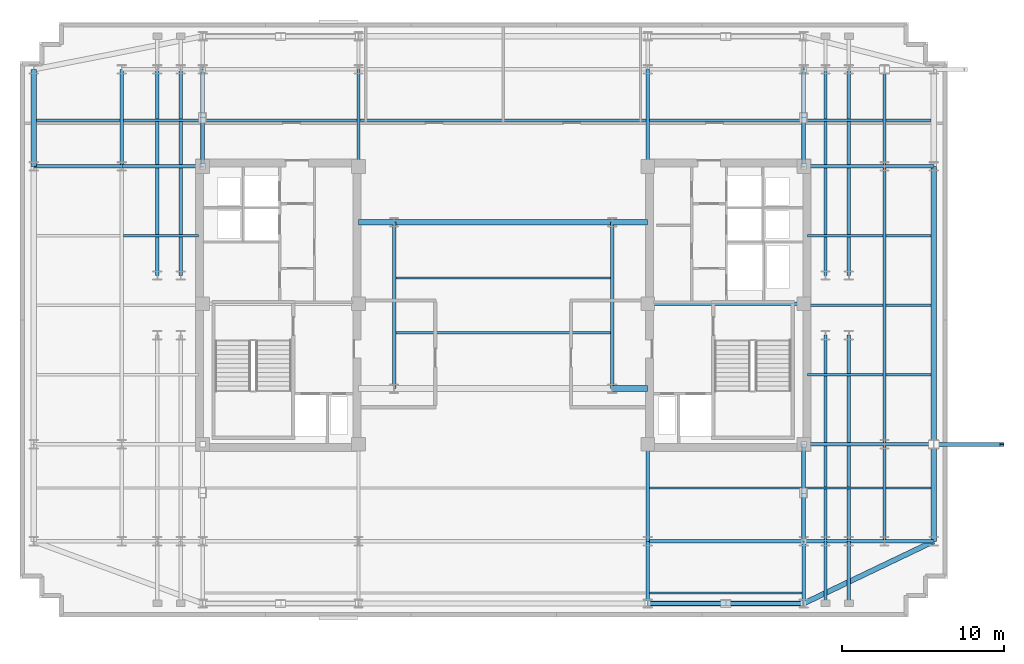
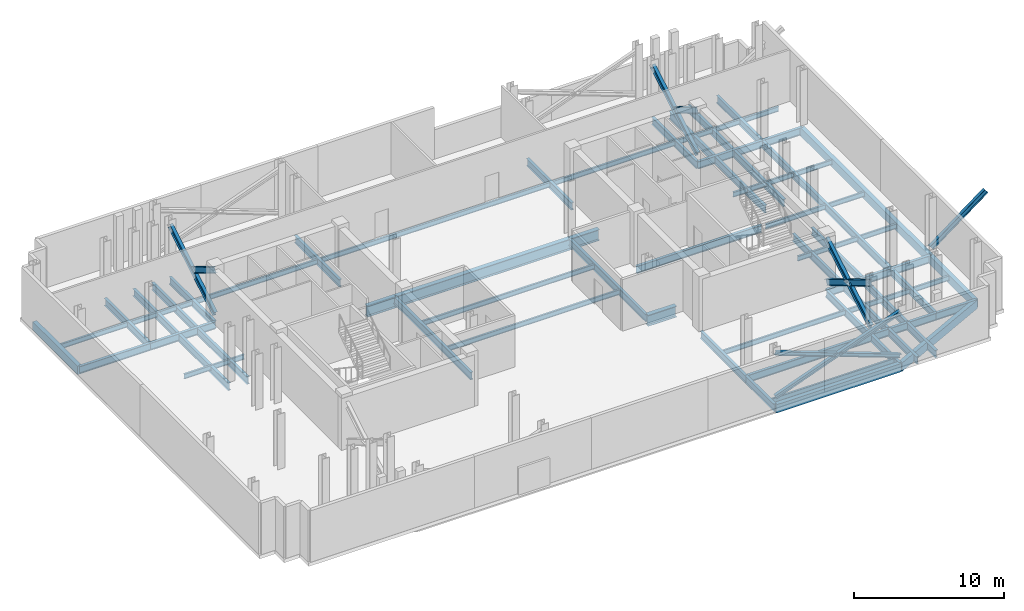
# One storey, part 2 of 8: 61 beams, 11 members.
"""IFC4 building model written with IfcOpenShell, lengths in metres."""

from ifc_helpers import new_model, si_unit, direction, frame, origin, origin_2d, place, context, subcontext, project, spatial, rectangle, i_section, extrude, material, material_profile, profile_set, type_object, element, save


model = new_model("IFC4")

# Units and contexts
model_context = context("Model", 3, precision=1e-05, world=origin(), true_north=direction((0.0, 1.0)))
body_context = subcontext(model_context, "Body", "Model", "MODEL_VIEW")
ifc_project = project(units=[si_unit("LENGTHUNIT", "METRE"), si_unit("AREAUNIT", "SQUARE_METRE"), si_unit("VOLUMEUNIT", "CUBIC_METRE"), si_unit("PLANEANGLEUNIT", "RADIAN"), si_unit("MASSUNIT", "GRAM", prefix="KILO")], contexts=[model_context])

# Site, building, storey
site_placement = place(None, origin())
site = spatial("IfcSite", under=ifc_project, at=site_placement, CompositionType="ELEMENT")
building_placement = place(site_placement, origin())
building = spatial("IfcBuilding", under=site, at=building_placement, Name="Velakula Bourse", CompositionType="ELEMENT")
storey_placement = place(building_placement, frame((0.0, 0.0, 243.0)))
storey = spatial("IfcBuildingStorey", under=building, at=storey_placement, Name="L66", CompositionType="ELEMENT", Elevation=243.0)

# Beams
ifc_material_1 = material(Name="Steel IS 2062 Grade 350 (E350)", Category="steel")
ifc_material_profile_1 = material_profile(ifc_material_1, i_section(OverallWidth=0.2099609375, OverallDepth=0.60009765625, WebThickness=0.011962890625, FlangeThickness=0.020751953125, at=origin_2d()), Name="Steel IS 2062 Grade 350 (E350)")
ifc_profile_set_1 = profile_set([ifc_material_profile_1], Name="Steel IS 2062 Grade 350 (E350)")
beam_type_1 = type_object("IfcBeamType", Name="BM-GRD-600L", PredefinedType="BEAM", material=ifc_profile_set_1)
beam_1_placement = place(storey_placement, frame((8.949951171875, 0.10009765625, -0.580078125), z_axis=(1.0, 0.0, 0.0), x_axis=(0.0, 1.0, 0.0)))
element("IfcBeam", 1, at=beam_1_placement, inside=storey, type_object=beam_type_1, Name="L66 Primary Backbone Girder CRE-M", PredefinedType="BEAM", context=body_context, shape_type="SweptSolid", body=[
    extrude(i_section(OverallWidth=0.2099609375, OverallDepth=0.60009765625, WebThickness=0.011962890625, FlangeThickness=0.020751953125, at=origin_2d()), origin(), (0.0, 0.0, 1.0), 9.650146484375),
])
for number, where, z_axis, x_axis, name in (
    (2, (-6.75, -5.14990234375, -0.580078125), (0.0, 1.0, 0.0), (-1.0, 0.0, 0.0), "L66 Primary Backbone Girder SPN-W"),
    (3, (6.75, -5.14990234375, -0.580078125), (0.0, 1.0, 0.0), (-1.0, 0.0, 0.0), "L66 Primary Backbone Girder SPN-E"),
):
    element("IfcBeam", number, at=place(storey_placement, frame(where, z_axis=z_axis, x_axis=x_axis)), inside=storey, type_object=beam_type_1, Name=name, PredefinedType="BEAM", context=body_context, shape_type="SweptSolid", body=[
        extrude(i_section(OverallWidth=0.2099609375, OverallDepth=0.60009765625, WebThickness=0.011962890625, FlangeThickness=0.020751953125, at=origin_2d()), origin(), (0.0, 0.0, 1.0), 10.2998046875),
    ])
for number, where, z_axis, x_axis, name in (
    (4, (-18.60009765625, 8.60009765625, -0.580078125), (0.0, 1.0, 0.0), (-1.0, 0.0, 0.0), "L66 Fulcrum Grid Girder FLC-WN"),
    (5, (-8.949951171875, 8.60009765625, -0.580078125), (0.0, 1.0, 0.0), (-1.0, 0.0, 0.0), "L66 Fulcrum Grid Girder FLC-WCN"),
    (6, (8.949951171875, -14.60009765625, -0.580078125), (0.0, 1.0, 0.0), (-1.0, 0.0, 0.0), "L66 Fulcrum Grid Girder FLC-ECS"),
    (7, (8.949951171875, 8.60009765625, -0.580078125), (0.0, 1.0, 0.0), (-1.0, 0.0, 0.0), "L66 Fulcrum Grid Girder FLC-ECN"),
    (8, (18.60009765625, -14.60009765625, -0.580078125), (0.0, 1.0, 0.0), (-1.0, 0.0, 0.0), "L66 Fulcrum Grid Girder FLC-ES"),
    (9, (18.60009765625, 8.60009765625, -0.580078125), (0.0, 1.0, 0.0), (-1.0, 0.0, 0.0), "L66 Fulcrum Grid Girder FLC-EN"),
):
    element("IfcBeam", number, at=place(storey_placement, frame(where, z_axis=z_axis, x_axis=x_axis)), inside=storey, type_object=beam_type_1, Name=name, PredefinedType="BEAM", context=body_context, shape_type="SweptSolid", body=[
        extrude(i_section(OverallWidth=0.2099609375, OverallDepth=0.60009765625, WebThickness=0.011962890625, FlangeThickness=0.020751953125, at=origin_2d()), origin(), (0.0, 0.0, 1.0), 6.0),
    ])
beam_2_placement = place(storey_placement, frame((8.949951171875, -14.60009765625, -0.580078125), z_axis=(1.0, 0.0, 0.0), x_axis=(0.0, 1.0, 0.0)))
element("IfcBeam", 10, at=beam_2_placement, inside=storey, type_object=beam_type_1, Name="L66 Fulcrum Grid Girder FLC-S3", PredefinedType="BEAM", context=body_context, shape_type="SweptSolid", body=[
    extrude(i_section(OverallWidth=0.2099609375, OverallDepth=0.60009765625, WebThickness=0.011962890625, FlangeThickness=0.020751953125, at=origin_2d()), origin(), (0.0, 0.0, 1.0), 9.650146484375),
])
for number, where, z_axis, x_axis, name in (
    (11, (-21.39990234375, 1.85009765625, -0.580078125), (0.0, 1.0, 0.0), (-1.0, 0.0, 0.0), "L66 Fulcrum Grid Girder FLC-PNW1"),
    (12, (-19.949951171875, 1.85009765625, -0.580078125), (0.0, 1.0, 0.0), (-1.0, 0.0, 0.0), "L66 Fulcrum Grid Girder FLC-PNW2"),
    (13, (19.949951171875, -14.60009765625, -0.580078125), (0.0, 1.0, 0.0), (-1.0, 0.0, 0.0), "L66 Fulcrum Grid Girder FLC-PSE1"),
    (14, (19.949951171875, 1.85009765625, -0.580078125), (0.0, 1.0, 0.0), (-1.0, 0.0, 0.0), "L66 Fulcrum Grid Girder FLC-PNE1"),
    (15, (21.39990234375, -14.60009765625, -0.580078125), (0.0, 1.0, 0.0), (-1.0, 0.0, 0.0), "L66 Fulcrum Grid Girder FLC-PSE2"),
    (16, (21.39990234375, 1.85009765625, -0.580078125), (0.0, 1.0, 0.0), (-1.0, 0.0, 0.0), "L66 Fulcrum Grid Girder FLC-PNE2"),
):
    element("IfcBeam", number, at=place(storey_placement, frame(where, z_axis=z_axis, x_axis=x_axis)), inside=storey, type_object=beam_type_1, Name=name, PredefinedType="BEAM", context=body_context, shape_type="SweptSolid", body=[
        extrude(i_section(OverallWidth=0.2099609375, OverallDepth=0.60009765625, WebThickness=0.011962890625, FlangeThickness=0.020751953125, at=origin_2d()), origin(), (0.0, 0.0, 1.0), 12.75),
    ])
beam_3_placement = place(storey_placement, frame((-23.60009765625, 8.60009765625, -0.580078125), z_axis=(1.0, 0.0, 0.0), x_axis=(0.0, 1.0, 0.0)))
element("IfcBeam", 17, at=beam_3_placement, inside=storey, type_object=beam_type_1, Name="L66 Fulcrum Grid Girder MWG-WN1", PredefinedType="BEAM", context=body_context, shape_type="SweptSolid", body=[
    extrude(i_section(OverallWidth=0.2099609375, OverallDepth=0.60009765625, WebThickness=0.011962890625, FlangeThickness=0.020751953125, at=origin_2d()), origin(), (0.0, 0.0, 1.0), 5.0),
])
beam_4_placement = place(storey_placement, frame((-23.60009765625, 8.60009765625, -0.580078125), z_axis=(0.0, 1.0, 0.0), x_axis=(-1.0, 0.0, 0.0)))
element("IfcBeam", 18, at=beam_4_placement, inside=storey, type_object=beam_type_1, Name="L66 Fulcrum Grid Girder MWG-WNS3", PredefinedType="BEAM", context=body_context, shape_type="SweptSolid", body=[
    extrude(i_section(OverallWidth=0.2099609375, OverallDepth=0.60009765625, WebThickness=0.011962890625, FlangeThickness=0.020751953125, at=origin_2d()), origin(), (0.0, 0.0, 1.0), 6.0),
])
for number, where, z_axis, x_axis, name in (
    (19, (18.60009765625, -14.60009765625, -0.580078125), (1.0, 0.0, 0.0), (0.0, 1.0, 0.0), "L66 Fulcrum Grid Girder MWG-ES1"),
    (20, (18.60009765625, -8.60009765625, -0.580078125), (1.0, 0.0, 0.0), (0.0, 1.0, 0.0), "L66 Fulcrum Grid Girder MWG-ES2"),
    (21, (18.60009765625, 8.60009765625, -0.580078125), (1.0, 0.0, 0.0), (0.0, 1.0, 0.0), "L66 Fulcrum Grid Girder MWG-EN1"),
):
    element("IfcBeam", number, at=place(storey_placement, frame(where, z_axis=z_axis, x_axis=x_axis)), inside=storey, type_object=beam_type_1, Name=name, PredefinedType="BEAM", context=body_context, shape_type="SweptSolid", body=[
        extrude(i_section(OverallWidth=0.2099609375, OverallDepth=0.60009765625, WebThickness=0.011962890625, FlangeThickness=0.020751953125, at=origin_2d()), origin(), (0.0, 0.0, 1.0), 5.0),
    ])
beam_5_placement = place(storey_placement, frame((23.60009765625, -14.60009765625, -0.580078125), z_axis=(0.0, 1.0, 0.0), x_axis=(-1.0, 0.0, 0.0)))
element("IfcBeam", 22, at=beam_5_placement, inside=storey, type_object=beam_type_1, Name="L66 Fulcrum Grid Girder MWG-ENS1", PredefinedType="BEAM", context=body_context, shape_type="SweptSolid", body=[
    extrude(i_section(OverallWidth=0.2099609375, OverallDepth=0.60009765625, WebThickness=0.011962890625, FlangeThickness=0.020751953125, at=origin_2d()), origin(), (0.0, 0.0, 1.0), 6.0),
])
beam_6_placement = place(storey_placement, frame((23.60009765625, -8.60009765625, -0.580078125), z_axis=(0.0, 1.0, 0.0), x_axis=(-1.0, 0.0, 0.0)))
element("IfcBeam", 23, at=beam_6_placement, inside=storey, type_object=beam_type_1, Name="L66 Fulcrum Grid Girder MWG-ENS2", PredefinedType="BEAM", context=body_context, shape_type="SweptSolid", body=[
    extrude(i_section(OverallWidth=0.2099609375, OverallDepth=0.60009765625, WebThickness=0.011962890625, FlangeThickness=0.020751953125, at=origin_2d()), origin(), (0.0, 0.0, 1.0), 17.2001953125),
])
beam_7_placement = place(storey_placement, frame((23.60009765625, 8.60009765625, -0.580078125), z_axis=(0.0, 1.0, 0.0), x_axis=(-1.0, 0.0, 0.0)))
element("IfcBeam", 24, at=beam_7_placement, inside=storey, type_object=beam_type_1, Name="L66 Fulcrum Grid Girder MWG-ENS3", PredefinedType="BEAM", context=body_context, shape_type="SweptSolid", body=[
    extrude(i_section(OverallWidth=0.2099609375, OverallDepth=0.60009765625, WebThickness=0.011962890625, FlangeThickness=0.020751953125, at=origin_2d()), origin(), (0.0, 0.0, 1.0), 6.0),
])
for number, where, z_axis, x_axis, name in (
    (25, (8.949951171875, -14.60009765625, -0.580078125), (0.0, -1.0, 0.0), (1.0, 0.0, 0.0), "L66 Perimeter Tie Girder S3"),
    (26, (18.60009765625, -14.60009765625, -0.580078125), (0.0, -1.0, 0.0), (1.0, 0.0, 0.0), "L66 Perimeter Tie Girder S4"),
):
    element("IfcBeam", number, at=place(storey_placement, frame(where, z_axis=z_axis, x_axis=x_axis)), inside=storey, type_object=beam_type_1, Name=name, PredefinedType="BEAM", context=body_context, shape_type="SweptSolid", body=[
        extrude(i_section(OverallWidth=0.2099609375, OverallDepth=0.60009765625, WebThickness=0.011962890625, FlangeThickness=0.020751953125, at=origin_2d()), origin(), (0.0, 0.0, 1.0), 3.849853515625),
    ])
beam_8_placement = place(storey_placement, frame((-23.60009765625, 8.60009765625, -0.580078125), z_axis=(-1.0, 0.0, 0.0), x_axis=(0.0, -1.0, 0.0)))
element("IfcBeam", 27, at=beam_8_placement, inside=storey, type_object=beam_type_1, Name="L66 Perimeter Tie Girder W3", PredefinedType="BEAM", context=body_context, shape_type="SweptSolid", body=[
    extrude(i_section(OverallWidth=0.2099609375, OverallDepth=0.60009765625, WebThickness=0.011962890625, FlangeThickness=0.020751953125, at=origin_2d()), origin(), (0.0, 0.0, 1.0), 5.449951171875),
])
for number, where, z_axis, x_axis, name in (
    (28, (23.60009765625, -14.60009765625, -0.580078125), (1.0, 0.0, 0.0), (0.0, 1.0, 0.0), "L66 Perimeter Tie Girder E1"),
    (29, (23.60009765625, -8.60009765625, -0.580078125), (1.0, 0.0, 0.0), (0.0, 1.0, 0.0), "L66 Perimeter Tie Girder E2"),
    (30, (23.60009765625, 8.60009765625, -0.580078125), (1.0, 0.0, 0.0), (0.0, 1.0, 0.0), "L66 Perimeter Tie Girder E3"),
):
    element("IfcBeam", number, at=place(storey_placement, frame(where, z_axis=z_axis, x_axis=x_axis)), inside=storey, type_object=beam_type_1, Name=name, PredefinedType="BEAM", context=body_context, shape_type="SweptSolid", body=[
        extrude(i_section(OverallWidth=0.2099609375, OverallDepth=0.60009765625, WebThickness=0.011962890625, FlangeThickness=0.020751953125, at=origin_2d()), origin(), (0.0, 0.0, 1.0), 3.0498046875),
    ])
for number, where, z_axis, x_axis, name in (
    (31, (19.949951171875, -14.60009765625, -0.580078125), (0.0, -1.0, 0.0), (1.0, 0.0, 0.0), "L66 Perimeter Tie Girder P03"),
    (32, (21.39990234375, -14.60009765625, -0.580078125), (0.0, -1.0, 0.0), (1.0, 0.0, 0.0), "L66 Perimeter Tie Girder P04"),
):
    element("IfcBeam", number, at=place(storey_placement, frame(where, z_axis=z_axis, x_axis=x_axis)), inside=storey, type_object=beam_type_1, Name=name, PredefinedType="BEAM", context=body_context, shape_type="SweptSolid", body=[
        extrude(i_section(OverallWidth=0.2099609375, OverallDepth=0.60009765625, WebThickness=0.011962890625, FlangeThickness=0.020751953125, at=origin_2d()), origin(), (0.0, 0.0, 1.0), 3.849853515625),
    ])
ifc_material_profile_2 = material_profile(ifc_material_1, i_section(OverallWidth=0.35009765625, OverallDepth=0.89990234375, WebThickness=0.02001953125, FlangeThickness=0.031982421875, at=origin_2d()), Name="Steel IS 2062 Grade 350 (E350)")
ifc_profile_set_2 = profile_set([ifc_material_profile_2], Name="Steel IS 2062 Grade 350 (E350)")
beam_type_2 = type_object("IfcBeamType", Name="BM-LNK-900", PredefinedType="BEAM", material=ifc_profile_set_2)
for number, where, z_axis, x_axis, name in (
    (33, (6.75, -5.14990234375, -0.72998046875), (1.0, 0.0, 0.0), (0.0, 1.0, 0.0), "L66 Primary Backbone Girder LNK-S3"),
    (34, (-8.949951171875, 5.14990234375, -0.72998046875), (1.0, 0.0, 0.0), (0.0, 1.0, 0.0), "L66 Primary Backbone Girder LNK-N1"),
):
    element("IfcBeam", number, at=place(storey_placement, frame(where, z_axis=z_axis, x_axis=x_axis)), inside=storey, type_object=beam_type_2, Name=name, PredefinedType="BEAM", context=body_context, shape_type="SweptSolid", body=[
        extrude(i_section(OverallWidth=0.35009765625, OverallDepth=0.89990234375, WebThickness=0.02001953125, FlangeThickness=0.031982421875, at=origin_2d()), origin(), (0.0, 0.0, 1.0), 2.199951171875),
    ])
beam_9_placement = place(storey_placement, frame((-6.75, 5.14990234375, -0.72998046875), z_axis=(1.0, 0.0, 0.0), x_axis=(0.0, 1.0, 0.0)))
element("IfcBeam", 35, at=beam_9_placement, inside=storey, type_object=beam_type_2, Name="L66 Primary Backbone Girder LNK-N2", PredefinedType="BEAM", context=body_context, shape_type="SweptSolid", body=[
    extrude(i_section(OverallWidth=0.35009765625, OverallDepth=0.89990234375, WebThickness=0.02001953125, FlangeThickness=0.031982421875, at=origin_2d()), origin(), (0.0, 0.0, 1.0), 13.5),
])
beam_10_placement = place(storey_placement, frame((6.75, 5.14990234375, -0.72998046875), z_axis=(1.0, 0.0, 0.0), x_axis=(0.0, 1.0, 0.0)))
element("IfcBeam", 36, at=beam_10_placement, inside=storey, type_object=beam_type_2, Name="L66 Primary Backbone Girder LNK-N3", PredefinedType="BEAM", context=body_context, shape_type="SweptSolid", body=[
    extrude(i_section(OverallWidth=0.35009765625, OverallDepth=0.89990234375, WebThickness=0.02001953125, FlangeThickness=0.031982421875, at=origin_2d()), origin(), (0.0, 0.0, 1.0), 2.199951171875),
])

# Members
ifc_material_profile_3 = material_profile(ifc_material_1, i_section(OverallWidth=0.25, OverallDepth=0.300048828125, WebThickness=0.009521484375, FlangeThickness=0.010498046875, at=origin_2d()), Name="Steel IS 2062 Grade 350 (E350)")
ifc_profile_set_3 = profile_set([ifc_material_profile_3], Name="Steel IS 2062 Grade 350 (E350)")
member_type_1 = type_object("IfcMemberType", Name="BR-BLT-300", PredefinedType="BRACE", material=ifc_profile_set_3)
member_1_placement = place(storey_placement, frame((8.949951171875, -18.449951171875, 0.300048828125), z_axis=(0.937877208605, 0.0, 0.346967349443), x_axis=(0.0, 1.0, 0.0)))
element("IfcMember", 37, at=member_1_placement, inside=storey, type_object=member_type_1, Name="L66 Continuous Outrigger and Belt X-Brace BT-S3", PredefinedType="BRACE", context=body_context, shape_type="SweptSolid", body=[
    extrude(i_section(OverallWidth=0.25, OverallDepth=0.300048828125, WebThickness=0.009521484375, FlangeThickness=0.010498046875, at=origin_2d()), origin(), (0.0, 0.0, 1.0), 10.289306640625),
])
member_2_placement = place(storey_placement, frame((18.60009765625, -18.449951171875, 0.300048828125), z_axis=(-0.937887559237, 0.0, 0.346939369671), x_axis=(0.0, -1.0, 0.0)))
element("IfcMember", 38, at=member_2_placement, inside=storey, type_object=member_type_1, Name="L66 Split X-Brace Lower Segment BT-S4A", PredefinedType="BRACE", context=body_context, shape_type="SweptSolid", body=[
    extrude(i_section(OverallWidth=0.25, OverallDepth=0.300048828125, WebThickness=0.009521484375, FlangeThickness=0.010498046875, at=origin_2d()), origin(), (0.0, 0.0, 1.0), 5.004638671875),
])
member_3_placement = place(storey_placement, frame((13.643798828125, -18.449951171875, 2.133544921875), z_axis=(-0.937871685262, 0.0, 0.346982279063), x_axis=(0.0, -1.0, 0.0)))
element("IfcMember", 39, at=member_3_placement, inside=storey, type_object=member_type_1, Name="L66 Split X-Brace Upper Segment BT-S4B", PredefinedType="BRACE", context=body_context, shape_type="SweptSolid", body=[
    extrude(i_section(OverallWidth=0.25, OverallDepth=0.300048828125, WebThickness=0.009521484375, FlangeThickness=0.010498046875, at=origin_2d()), origin(), (0.0, 0.0, 1.0), 5.0048828125),
])
ifc_material_profile_4 = material_profile(ifc_material_1, i_section(OverallWidth=0.25, OverallDepth=0.449951171875, WebThickness=0.01123046875, FlangeThickness=0.013671875, at=origin_2d()), Name="Steel IS 2062 Grade 350 (E350)")
ifc_profile_set_4 = profile_set([ifc_material_profile_4], Name="Steel IS 2062 Grade 350 (E350)")
member_type_2 = type_object("IfcMemberType", Name="BR-OTR-450", PredefinedType="BRACE", material=ifc_profile_set_4)
member_4_placement = place(storey_placement, frame((-18.60009765625, 8.60009765625, 0.300048828125), z_axis=(0.0, 0.859378499817, 0.511339998487), x_axis=(-1.0, 0.0, 0.0)))
element("IfcMember", 40, at=member_4_placement, inside=storey, type_object=member_type_2, Name="L66 Continuous Outrigger and Belt X-Brace OT-NS3", PredefinedType="BRACE", context=body_context, shape_type="SweptSolid", body=[
    extrude(i_section(OverallWidth=0.25, OverallDepth=0.449951171875, WebThickness=0.01123046875, FlangeThickness=0.013671875, at=origin_2d()), origin(), (0.0, 0.0, 1.0), 6.981689453125),
])
member_5_placement = place(storey_placement, frame((-18.60009765625, 11.479736328125, 2.156494140625), z_axis=(0.0, -0.85935158543, 0.511385229176), x_axis=(1.0, 0.0, 0.0)))
element("IfcMember", 41, at=member_5_placement, inside=storey, type_object=member_type_2, Name="L66 Split X-Brace Upper Segment OT-NS4B", PredefinedType="BRACE", context=body_context, shape_type="SweptSolid", body=[
    extrude(i_section(OverallWidth=0.25, OverallDepth=0.449951171875, WebThickness=0.01123046875, FlangeThickness=0.013671875, at=origin_2d()), origin(), (0.0, 0.0, 1.0), 3.350830078125),
])
member_6_placement = place(storey_placement, frame((18.60009765625, -8.60009765625, 0.300048828125), z_axis=(0.0, -0.859378499817, 0.511339998487), x_axis=(1.0, 0.0, 0.0)))
element("IfcMember", 42, at=member_6_placement, inside=storey, type_object=member_type_2, Name="L66 Continuous Outrigger and Belt X-Brace OT-NS5", PredefinedType="BRACE", context=body_context, shape_type="SweptSolid", body=[
    extrude(i_section(OverallWidth=0.25, OverallDepth=0.449951171875, WebThickness=0.01123046875, FlangeThickness=0.013671875, at=origin_2d()), origin(), (0.0, 0.0, 1.0), 6.981689453125),
])
member_7_placement = place(storey_placement, frame((18.60009765625, -14.60009765625, 0.300048828125), z_axis=(0.0, 0.859402650947, 0.511299406947), x_axis=(-1.0, 0.0, 0.0)))
element("IfcMember", 43, at=member_7_placement, inside=storey, type_object=member_type_2, Name="L66 Split X-Brace Lower Segment OT-NS6A", PredefinedType="BRACE", context=body_context, shape_type="SweptSolid", body=[
    extrude(i_section(OverallWidth=0.25, OverallDepth=0.449951171875, WebThickness=0.01123046875, FlangeThickness=0.013671875, at=origin_2d()), origin(), (0.0, 0.0, 1.0), 3.35107421875),
])
member_8_placement = place(storey_placement, frame((18.60009765625, -11.479736328125, 2.156494140625), z_axis=(0.0, 0.85935158543, 0.511385229176), x_axis=(-1.0, 0.0, 0.0)))
element("IfcMember", 44, at=member_8_placement, inside=storey, type_object=member_type_2, Name="L66 Split X-Brace Upper Segment OT-NS6B", PredefinedType="BRACE", context=body_context, shape_type="SweptSolid", body=[
    extrude(i_section(OverallWidth=0.25, OverallDepth=0.449951171875, WebThickness=0.01123046875, FlangeThickness=0.013671875, at=origin_2d()), origin(), (0.0, 0.0, 1.0), 3.350830078125),
])
member_9_placement = place(storey_placement, frame((18.60009765625, 8.60009765625, 0.300048828125), z_axis=(0.0, 0.859378499817, 0.511339998487), x_axis=(-1.0, 0.0, 0.0)))
element("IfcMember", 45, at=member_9_placement, inside=storey, type_object=member_type_2, Name="L66 Continuous Outrigger and Belt X-Brace OT-NS7", PredefinedType="BRACE", context=body_context, shape_type="SweptSolid", body=[
    extrude(i_section(OverallWidth=0.25, OverallDepth=0.449951171875, WebThickness=0.01123046875, FlangeThickness=0.013671875, at=origin_2d()), origin(), (0.0, 0.0, 1.0), 6.981689453125),
])
member_10_placement = place(storey_placement, frame((18.60009765625, 11.479736328125, 2.156494140625), z_axis=(0.0, -0.85935158543, 0.511385229176), x_axis=(1.0, 0.0, 0.0)))
element("IfcMember", 46, at=member_10_placement, inside=storey, type_object=member_type_2, Name="L66 Split X-Brace Upper Segment OT-NS8B", PredefinedType="BRACE", context=body_context, shape_type="SweptSolid", body=[
    extrude(i_section(OverallWidth=0.25, OverallDepth=0.449951171875, WebThickness=0.01123046875, FlangeThickness=0.013671875, at=origin_2d()), origin(), (0.0, 0.0, 1.0), 3.350830078125),
])
ifc_material_profile_5 = material_profile(ifc_material_1, i_section(OverallWidth=0.25, OverallDepth=0.39990234375, WebThickness=0.010498046875, FlangeThickness=0.0126953125, at=origin_2d()), Name="Steel IS 2062 Grade 350 (E350)")
ifc_profile_set_5 = profile_set([ifc_material_profile_5], Name="Steel IS 2062 Grade 350 (E350)")
member_type_3 = type_object("IfcMemberType", Name="BR-TRF-400", PredefinedType="BRACE", material=ifc_profile_set_5)
member_11_placement = place(storey_placement, frame((26.64990234375, -8.60009765625, 0.300048828125), z_axis=(0.800166266384, 0.0, 0.599778247473), x_axis=(0.0, 1.0, 0.0)))
element("IfcMember", 47, at=member_11_placement, inside=storey, type_object=member_type_3, Name="L66 Inclined Cantilever Transfer Raking Strut E2", PredefinedType="BRACE", context=body_context, shape_type="SweptSolid", body=[
    extrude(i_section(OverallWidth=0.25, OverallDepth=0.39990234375, WebThickness=0.010498046875, FlangeThickness=0.0126953125, at=origin_2d()), origin(), (0.0, 0.0, 1.0), 5.28515625),
])

# Beams
ifc_material_profile_6 = material_profile(ifc_material_1, i_section(OverallWidth=0.139892578125, OverallDepth=0.39990234375, WebThickness=0.0087890625, FlangeThickness=0.01611328125, at=origin_2d()), Name="Steel IS 2062 Grade 350 (E350)")
ifc_profile_set_6 = profile_set([ifc_material_profile_6], Name="Steel IS 2062 Grade 350 (E350)")
beam_type_3 = type_object("IfcBeamType", Name="JST-TWR-400", PredefinedType="JOIST", material=ifc_profile_set_6)
for number, where, z_axis, x_axis, name in (
    (48, (9.054931640625, -17.800048828125, -0.47998046875), (1.0, 0.0, 0.0), (0.0, 1.0, 0.0), "L66 Trading Floor Composite Joist 03"),
    (49, (9.054931640625, -11.300048828125, -0.47998046875), (1.0, 0.0, 0.0), (0.0, 1.0, 0.0), "L66 Trading Floor Composite Joist 08"),
):
    element("IfcBeam", number, at=place(storey_placement, frame(where, z_axis=z_axis, x_axis=x_axis)), inside=storey, type_object=beam_type_3, Name=name, PredefinedType="JOIST", context=body_context, shape_type="SweptSolid", body=[
        extrude(i_section(OverallWidth=0.139892578125, OverallDepth=0.39990234375, WebThickness=0.0087890625, FlangeThickness=0.01611328125, at=origin_2d()), origin(), (0.0, 0.0, 1.0), 9.440185546875),
    ])
beam_11_placement = place(storey_placement, frame((18.705078125, -11.300048828125, -0.47998046875), z_axis=(1.0, 0.0, 0.0), x_axis=(0.0, 1.0, 0.0)))
element("IfcBeam", 50, at=beam_11_placement, inside=storey, type_object=beam_type_3, Name="L66 Trading Floor Composite Joist 09", PredefinedType="JOIST", context=body_context, shape_type="SweptSolid", body=[
    extrude(i_section(OverallWidth=0.139892578125, OverallDepth=0.39990234375, WebThickness=0.0087890625, FlangeThickness=0.01611328125, at=origin_2d()), origin(), (0.0, 0.0, 1.0), 4.7900390625),
])
beam_12_placement = place(storey_placement, frame((23.705078125, -11.300048828125, -0.47998046875), z_axis=(1.0, 0.0, 0.0), x_axis=(0.0, 1.0, 0.0)))
element("IfcBeam", 51, at=beam_12_placement, inside=storey, type_object=beam_type_3, Name="L66 Trading Floor Composite Joist 10", PredefinedType="JOIST", context=body_context, shape_type="SweptSolid", body=[
    extrude(i_section(OverallWidth=0.139892578125, OverallDepth=0.39990234375, WebThickness=0.0087890625, FlangeThickness=0.01611328125, at=origin_2d()), origin(), (0.0, 0.0, 1.0), 2.784912109375),
])
beam_13_placement = place(storey_placement, frame((-28.889892578125, 11.449951171875, -0.47998046875), z_axis=(1.0, 0.0, 0.0), x_axis=(0.0, 1.0, 0.0)))
element("IfcBeam", 52, at=beam_13_placement, inside=storey, type_object=beam_type_3, Name="L66 Trading Floor Composite Joist 11", PredefinedType="JOIST", context=body_context, shape_type="SweptSolid", body=[
    extrude(i_section(OverallWidth=0.139892578125, OverallDepth=0.39990234375, WebThickness=0.0087890625, FlangeThickness=0.01611328125, at=origin_2d()), origin(), (0.0, 0.0, 1.0), 5.184814453125),
])
beam_14_placement = place(storey_placement, frame((-23.4951171875, 11.449951171875, -0.47998046875), z_axis=(1.0, 0.0, 0.0), x_axis=(0.0, 1.0, 0.0)))
element("IfcBeam", 53, at=beam_14_placement, inside=storey, type_object=beam_type_3, Name="L66 Trading Floor Composite Joist 12", PredefinedType="JOIST", context=body_context, shape_type="SweptSolid", body=[
    extrude(i_section(OverallWidth=0.139892578125, OverallDepth=0.39990234375, WebThickness=0.0087890625, FlangeThickness=0.01611328125, at=origin_2d()), origin(), (0.0, 0.0, 1.0), 4.7900390625),
])
beam_15_placement = place(storey_placement, frame((-18.4951171875, 11.449951171875, -0.47998046875), z_axis=(1.0, 0.0, 0.0), x_axis=(0.0, 1.0, 0.0)))
element("IfcBeam", 54, at=beam_15_placement, inside=storey, type_object=beam_type_3, Name="L66 Trading Floor Composite Joist 13", PredefinedType="JOIST", context=body_context, shape_type="SweptSolid", body=[
    extrude(i_section(OverallWidth=0.139892578125, OverallDepth=0.39990234375, WebThickness=0.0087890625, FlangeThickness=0.01611328125, at=origin_2d()), origin(), (0.0, 0.0, 1.0), 9.440185546875),
])
beam_16_placement = place(storey_placement, frame((-8.844970703125, 11.449951171875, -0.47998046875), z_axis=(1.0, 0.0, 0.0), x_axis=(0.0, 1.0, 0.0)))
element("IfcBeam", 55, at=beam_16_placement, inside=storey, type_object=beam_type_3, Name="L66 Trading Floor Composite Joist 14", PredefinedType="JOIST", context=body_context, shape_type="SweptSolid", body=[
    extrude(i_section(OverallWidth=0.139892578125, OverallDepth=0.39990234375, WebThickness=0.0087890625, FlangeThickness=0.01611328125, at=origin_2d()), origin(), (0.0, 0.0, 1.0), 17.68994140625),
])
beam_17_placement = place(storey_placement, frame((9.054931640625, 11.449951171875, -0.47998046875), z_axis=(1.0, 0.0, 0.0), x_axis=(0.0, 1.0, 0.0)))
element("IfcBeam", 56, at=beam_17_placement, inside=storey, type_object=beam_type_3, Name="L66 Trading Floor Composite Joist 15", PredefinedType="JOIST", context=body_context, shape_type="SweptSolid", body=[
    extrude(i_section(OverallWidth=0.139892578125, OverallDepth=0.39990234375, WebThickness=0.0087890625, FlangeThickness=0.01611328125, at=origin_2d()), origin(), (0.0, 0.0, 1.0), 9.440185546875),
])
beam_18_placement = place(storey_placement, frame((18.705078125, 11.449951171875, -0.47998046875), z_axis=(1.0, 0.0, 0.0), x_axis=(0.0, 1.0, 0.0)))
element("IfcBeam", 57, at=beam_18_placement, inside=storey, type_object=beam_type_3, Name="L66 Trading Floor Composite Joist 16", PredefinedType="JOIST", context=body_context, shape_type="SweptSolid", body=[
    extrude(i_section(OverallWidth=0.139892578125, OverallDepth=0.39990234375, WebThickness=0.0087890625, FlangeThickness=0.01611328125, at=origin_2d()), origin(), (0.0, 0.0, 1.0), 4.7900390625),
])
beam_19_placement = place(storey_placement, frame((23.705078125, 11.449951171875, -0.47998046875), z_axis=(1.0, 0.0, 0.0), x_axis=(0.0, 1.0, 0.0)))
element("IfcBeam", 58, at=beam_19_placement, inside=storey, type_object=beam_type_3, Name="L66 Trading Floor Composite Joist 17", PredefinedType="JOIST", context=body_context, shape_type="SweptSolid", body=[
    extrude(i_section(OverallWidth=0.139892578125, OverallDepth=0.39990234375, WebThickness=0.0087890625, FlangeThickness=0.01611328125, at=origin_2d()), origin(), (0.0, 0.0, 1.0), 2.784912109375),
])
for number, where, z_axis, x_axis, name in (
    (59, (-6.64501953125, -1.699951171875, -0.47998046875), (1.0, 0.0, 0.0), (0.0, 1.0, 0.0), "L66 Trading Floor Composite Joist 18"),
    (60, (-6.64501953125, 1.699951171875, -0.47998046875), (1.0, 0.0, 0.0), (0.0, 1.0, 0.0), "L66 Trading Floor Composite Joist 19"),
):
    element("IfcBeam", number, at=place(storey_placement, frame(where, z_axis=z_axis, x_axis=x_axis)), inside=storey, type_object=beam_type_3, Name=name, PredefinedType="JOIST", context=body_context, shape_type="SweptSolid", body=[
        extrude(i_section(OverallWidth=0.139892578125, OverallDepth=0.39990234375, WebThickness=0.0087890625, FlangeThickness=0.01611328125, at=origin_2d()), origin(), (0.0, 0.0, 1.0), 13.2900390625),
    ])
beam_20_placement = place(storey_placement, frame((18.85009765625, -4.300048828125, -0.47998046875), z_axis=(1.0, 0.0, 0.0), x_axis=(0.0, 1.0, 0.0)))
element("IfcBeam", 61, at=beam_20_placement, inside=storey, type_object=beam_type_3, Name="L66 Trading Floor Composite Joist 22", PredefinedType="JOIST", context=body_context, shape_type="SweptSolid", body=[
    extrude(i_section(OverallWidth=0.139892578125, OverallDepth=0.39990234375, WebThickness=0.0087890625, FlangeThickness=0.01611328125, at=origin_2d()), origin(), (0.0, 0.0, 1.0), 4.64501953125),
])
beam_21_placement = place(storey_placement, frame((23.705078125, -4.300048828125, -0.47998046875), z_axis=(1.0, 0.0, 0.0), x_axis=(0.0, 1.0, 0.0)))
element("IfcBeam", 62, at=beam_21_placement, inside=storey, type_object=beam_type_3, Name="L66 Trading Floor Composite Joist 23", PredefinedType="JOIST", context=body_context, shape_type="SweptSolid", body=[
    extrude(i_section(OverallWidth=0.139892578125, OverallDepth=0.39990234375, WebThickness=0.0087890625, FlangeThickness=0.01611328125, at=origin_2d()), origin(), (0.0, 0.0, 1.0), 2.784912109375),
])
beam_22_placement = place(storey_placement, frame((18.85009765625, 0.0, -0.47998046875), z_axis=(1.0, 0.0, 0.0), x_axis=(0.0, 1.0, 0.0)))
element("IfcBeam", 63, at=beam_22_placement, inside=storey, type_object=beam_type_3, Name="L66 Trading Floor Composite Joist 26", PredefinedType="JOIST", context=body_context, shape_type="SweptSolid", body=[
    extrude(i_section(OverallWidth=0.139892578125, OverallDepth=0.39990234375, WebThickness=0.0087890625, FlangeThickness=0.01611328125, at=origin_2d()), origin(), (0.0, 0.0, 1.0), 4.64501953125),
])
beam_23_placement = place(storey_placement, frame((23.705078125, 0.0, -0.47998046875), z_axis=(1.0, 0.0, 0.0), x_axis=(0.0, 1.0, 0.0)))
element("IfcBeam", 64, at=beam_23_placement, inside=storey, type_object=beam_type_3, Name="L66 Trading Floor Composite Joist 27", PredefinedType="JOIST", context=body_context, shape_type="SweptSolid", body=[
    extrude(i_section(OverallWidth=0.139892578125, OverallDepth=0.39990234375, WebThickness=0.0087890625, FlangeThickness=0.01611328125, at=origin_2d()), origin(), (0.0, 0.0, 1.0), 2.784912109375),
])
for number, where, z_axis, x_axis, name in (
    (65, (-23.4951171875, 4.300048828125, -0.47998046875), (1.0, 0.0, 0.0), (0.0, 1.0, 0.0), "L66 Trading Floor Composite Joist 29"),
    (66, (18.85009765625, 4.300048828125, -0.47998046875), (1.0, 0.0, 0.0), (0.0, 1.0, 0.0), "L66 Trading Floor Composite Joist 30"),
):
    element("IfcBeam", number, at=place(storey_placement, frame(where, z_axis=z_axis, x_axis=x_axis)), inside=storey, type_object=beam_type_3, Name=name, PredefinedType="JOIST", context=body_context, shape_type="SweptSolid", body=[
        extrude(i_section(OverallWidth=0.139892578125, OverallDepth=0.39990234375, WebThickness=0.0087890625, FlangeThickness=0.01611328125, at=origin_2d()), origin(), (0.0, 0.0, 1.0), 4.64501953125),
    ])
beam_24_placement = place(storey_placement, frame((23.705078125, 4.300048828125, -0.47998046875), z_axis=(1.0, 0.0, 0.0), x_axis=(0.0, 1.0, 0.0)))
element("IfcBeam", 67, at=beam_24_placement, inside=storey, type_object=beam_type_3, Name="L66 Trading Floor Composite Joist 31", PredefinedType="JOIST", context=body_context, shape_type="SweptSolid", body=[
    extrude(i_section(OverallWidth=0.139892578125, OverallDepth=0.39990234375, WebThickness=0.0087890625, FlangeThickness=0.01611328125, at=origin_2d()), origin(), (0.0, 0.0, 1.0), 2.784912109375),
])
ifc_material_2 = material(Name="Precast concrete M45 (fck 45 MPa)", Category="concrete")
ifc_material_profile_7 = material_profile(ifc_material_2, rectangle(XDim=0.320068359375, YDim=0.679931640625, at=origin_2d()), Name="Precast concrete M45 (fck 45 MPa)")
ifc_profile_set_7 = profile_set([ifc_material_profile_7], Name="Precast concrete M45 (fck 45 MPa)")
beam_type_4 = type_object("IfcBeamType", Name="SPN-BRICK-680", PredefinedType="SPANDREL", material=ifc_profile_set_7)
beam_25_placement = place(storey_placement, frame((8.949951171875, -18.449951171875, -0.6201171875), z_axis=(1.0, 0.0, 0.0), x_axis=(0.0, 1.0, 0.0)))
element("IfcBeam", 68, at=beam_25_placement, inside=storey, type_object=beam_type_4, Name="L66 Brick-Faced Precast Spandrel S3-S4", PredefinedType="SPANDREL", context=body_context, shape_type="SweptSolid", body=[
    extrude(rectangle(XDim=0.320068359375, YDim=0.679931640625, at=origin_2d()), origin(), (0.0, 0.0, 1.0), 9.650146484375),
])
for number, where, z_axis, x_axis, name in (
    (69, (-29.050048828125, 8.60009765625, -0.6201171875), (0.0, 1.0, 0.0), (-1.0, 0.0, 0.0), "L66 Brick-Faced Precast Spandrel W3-W4"),
    (70, (26.64990234375, -14.60009765625, -0.6201171875), (0.0, 1.0, 0.0), (-1.0, 0.0, 0.0), "L66 Brick-Faced Precast Spandrel E1-E2"),
):
    element("IfcBeam", number, at=place(storey_placement, frame(where, z_axis=z_axis, x_axis=x_axis)), inside=storey, type_object=beam_type_4, Name=name, PredefinedType="SPANDREL", context=body_context, shape_type="SweptSolid", body=[
        extrude(rectangle(XDim=0.320068359375, YDim=0.679931640625, at=origin_2d()), origin(), (0.0, 0.0, 1.0), 6.0),
    ])
beam_26_placement = place(storey_placement, frame((26.64990234375, -8.60009765625, -0.6201171875), z_axis=(0.0, 1.0, 0.0), x_axis=(-1.0, 0.0, 0.0)))
element("IfcBeam", 71, at=beam_26_placement, inside=storey, type_object=beam_type_4, Name="L66 Brick-Faced Precast Spandrel E2-E3", PredefinedType="SPANDREL", context=body_context, shape_type="SweptSolid", body=[
    extrude(rectangle(XDim=0.320068359375, YDim=0.679931640625, at=origin_2d()), origin(), (0.0, 0.0, 1.0), 17.2001953125),
])
beam_27_placement = place(storey_placement, frame((18.60009765625, -18.449951171875, -0.6201171875), z_axis=(0.902136536758, 0.431450656561, 0.0), x_axis=(-0.431450656561, 0.902136536758, 0.0)))
element("IfcBeam", 72, at=beam_27_placement, inside=storey, type_object=beam_type_4, Name="L66 Brick-Faced Precast Spandrel S4-E1", PredefinedType="SPANDREL", context=body_context, shape_type="SweptSolid", body=[
    extrude(rectangle(XDim=0.320068359375, YDim=0.679931640625, at=origin_2d()), origin(), (0.0, 0.0, 1.0), 8.923095703125),
])

save(model, "model.ifc")
